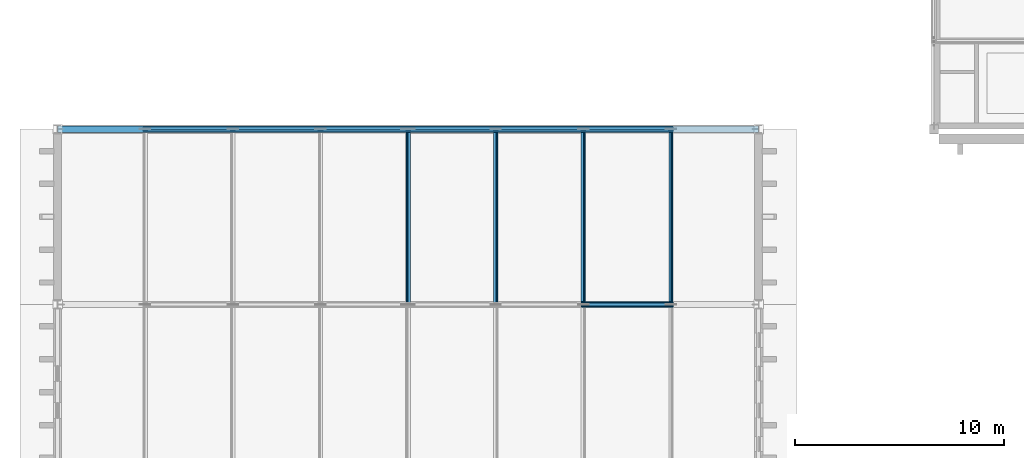
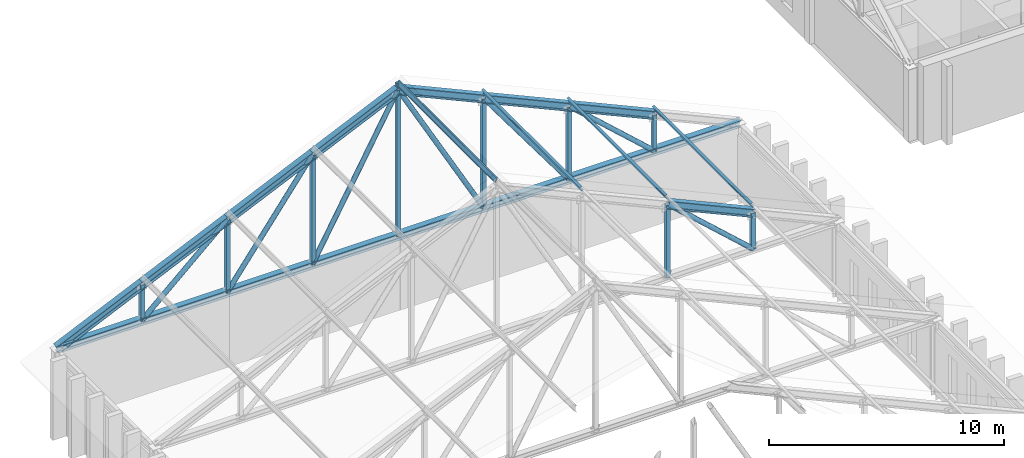
# One storey, part 24 of 110: 29 members.
"""IFC4 building model written with IfcOpenShell, lengths in metres."""

from ifc_helpers import new_model, si_unit, direction, frame, origin, origin_2d, place, context, subcontext, project, spatial, hollow_rectangle, hollow_circle, i_section, extrude, material, material_profile, profile_set, type_object, element, save


model = new_model("IFC4")

# Units and contexts
model_context = context("Model", 3, precision=1e-05, world=origin(), true_north=direction((0.0, 1.0)))
body_context = subcontext(model_context, "Body", "Model", "MODEL_VIEW")
ifc_project = project(units=[si_unit("LENGTHUNIT", "METRE"), si_unit("AREAUNIT", "SQUARE_METRE"), si_unit("VOLUMEUNIT", "CUBIC_METRE"), si_unit("PLANEANGLEUNIT", "RADIAN"), si_unit("MASSUNIT", "GRAM", prefix="KILO")], contexts=[model_context])

# Site, building, storey
site_placement = place(None, origin())
site = spatial("IfcSite", under=ifc_project, at=site_placement, CompositionType="ELEMENT")
building_placement = place(site_placement, origin())
building = spatial("IfcBuilding", under=site, at=building_placement, Name="Kveldsbrygga Polytechnic", CompositionType="ELEMENT")
storey_placement = place(building_placement, frame((0.0, 0.0, 9.860107421875)))
storey = spatial("IfcBuildingStorey", under=building, at=storey_placement, Name="L02", CompositionType="ELEMENT", Elevation=9.860107421875)

# Members
ifc_material = material(Name="Steel S355", Category="steel")
ifc_material_profile_1 = material_profile(ifc_material, i_section(OverallWidth=0.1201171875, OverallDepth=0.239990234375, WebThickness=0.006103515625, FlangeThickness=0.009765625, FilletRadius=0.014892578125, at=origin_2d()), Name="IPE 240")
ifc_profile_set_1 = profile_set([ifc_material_profile_1], Name="Steel S355")
member_type_1 = type_object("IfcMemberType", Name="PRL-IPE240", PredefinedType="PURLIN", material=ifc_profile_set_1)
for number, where, z_axis, x_axis, name in (
    (1, (16.800048828125, 75.60009765625, 11.731201171875), (0.0, 1.0, 0.0), (-0.911107850446, 0.0, 0.41216802988), "Roof Purlin V1W-PRL-7-4"),
    (2, (21.0, 75.60009765625, 9.8310546875), (0.0, 1.0, 0.0), (-0.911107850446, 0.0, -0.41216802988), "Roof Purlin V1W-PRL-7-5"),
    (3, (25.199951171875, 75.60009765625, 7.93115234375), (0.0, 1.0, 0.0), (-0.911107850446, 0.0, -0.41216802988), "Roof Purlin V1W-PRL-7-6"),
    (4, (29.39990234375, 75.60009765625, 6.031005859375), (0.0, 1.0, 0.0), (-0.911107850446, 0.0, -0.41216802988), "Roof Purlin V1W-PRL-7-7"),
):
    element("IfcMember", number, at=place(storey_placement, frame(where, z_axis=z_axis, x_axis=x_axis)), inside=storey, type_object=member_type_1, Name=name, PredefinedType="PURLIN", context=body_context, shape_type="SweptSolid", body=[
        extrude(i_section(OverallWidth=0.1201171875, OverallDepth=0.239990234375, WebThickness=0.006103515625, FlangeThickness=0.009765625, FilletRadius=0.014892578125, at=origin_2d()), origin(), (0.0, 0.0, 1.0), 8.39990234375),
    ])
ifc_material_profile_2 = material_profile(ifc_material, i_section(OverallWidth=0.300048828125, OverallDepth=0.35009765625, WebThickness=0.010009765625, FlangeThickness=0.017578125, FilletRadius=0.027099609375, at=origin_2d()), Name="HEA 360")
ifc_profile_set_2 = profile_set([ifc_material_profile_2], Name="Steel S355")
member_type_2 = type_object("IfcMemberType", Name="TR-BOT-HEA360", PredefinedType="CHORD", material=ifc_profile_set_2)
member_1_placement = place(storey_placement, frame((0.0, 84.0, 3.77978515625), z_axis=(1.0, 0.0, 0.0), x_axis=(0.0, 1.0, 0.0)))
element("IfcMember", 5, at=member_1_placement, inside=storey, type_object=member_type_2, Name="Truss Bottom Chord V1W-T08-BC-1", PredefinedType="CHORD", context=body_context, shape_type="SweptSolid", body=[
    extrude(i_section(OverallWidth=0.300048828125, OverallDepth=0.35009765625, WebThickness=0.010009765625, FlangeThickness=0.017578125, FilletRadius=0.027099609375, at=origin_2d()), origin(), (0.0, 0.0, 1.0), 33.60009765625),
])
ifc_material_profile_3 = material_profile(ifc_material, hollow_circle(Radius=0.122314453125, WallThickness=0.012451171875, at=origin_2d()), Name="CHS 244.5x12.5")
ifc_profile_set_3 = profile_set([ifc_material_profile_3], Name="Steel S355")
member_type_3 = type_object("IfcMemberType", Name="TR-DIAG-CHS245", PredefinedType="BRACE", material=ifc_profile_set_3)
for number, where, z_axis, x_axis, name in (
    (6, (25.199951171875, 75.60009765625, 7.579833984375), (0.741527609628, 0.0, -0.670922353302), (0.0, 1.0, 0.0), "Truss Diagonal V1W-T07-DG-7"),
    (7, (4.199951171875, 84.0, 3.77978515625), (0.741527609628, 0.0, 0.670922353302), (0.0, 1.0, 0.0), "Truss Diagonal V1W-T08-DG-2"),
):
    element("IfcMember", number, at=place(storey_placement, frame(where, z_axis=z_axis, x_axis=x_axis)), inside=storey, type_object=member_type_3, Name=name, PredefinedType="BRACE", context=body_context, shape_type="SweptSolid", body=[
        extrude(hollow_circle(Radius=0.122314453125, WallThickness=0.012451171875, at=origin_2d()), origin(), (0.0, 0.0, 1.0), 5.663818359375),
    ])
member_2_placement = place(storey_placement, frame((8.39990234375, 84.0, 3.77978515625), z_axis=(0.59320374275, 0.0, 0.805052370711), x_axis=(0.0, 1.0, 0.0)))
element("IfcMember", 8, at=member_2_placement, inside=storey, type_object=member_type_3, Name="Truss Diagonal V1W-T08-DG-3", PredefinedType="BRACE", context=body_context, shape_type="SweptSolid", body=[
    extrude(hollow_circle(Radius=0.122314453125, WallThickness=0.012451171875, at=origin_2d()), origin(), (0.0, 0.0, 1.0), 7.08056640625),
])
for number, where, z_axis, x_axis, name in (
    (9, (12.60009765625, 84.0, 3.77978515625), (0.483677042996, 0.0, 0.875246547025), (0.0, 1.0, 0.0), "Truss Diagonal V1W-T08-DG-4"),
    (10, (16.800048828125, 84.0, 11.3798828125), (0.483677042996, 0.0, -0.875246547025), (0.0, 1.0, 0.0), "Truss Diagonal V1W-T08-DG-5"),
):
    element("IfcMember", number, at=place(storey_placement, frame(where, z_axis=z_axis, x_axis=x_axis)), inside=storey, type_object=member_type_3, Name=name, PredefinedType="BRACE", context=body_context, shape_type="SweptSolid", body=[
        extrude(hollow_circle(Radius=0.122314453125, WallThickness=0.012451171875, at=origin_2d()), origin(), (0.0, 0.0, 1.0), 8.683349609375),
    ])
member_3_placement = place(storey_placement, frame((21.0, 84.0, 9.47998046875), z_axis=(0.593181394885, 0.0, -0.805068837282), x_axis=(0.0, 1.0, 0.0)))
element("IfcMember", 11, at=member_3_placement, inside=storey, type_object=member_type_3, Name="Truss Diagonal V1W-T08-DG-6", PredefinedType="BRACE", context=body_context, shape_type="SweptSolid", body=[
    extrude(hollow_circle(Radius=0.122314453125, WallThickness=0.012451171875, at=origin_2d()), origin(), (0.0, 0.0, 1.0), 7.080322265625),
])
member_4_placement = place(storey_placement, frame((25.199951171875, 84.0, 7.579833984375), z_axis=(0.741527609628, 0.0, -0.670922353302), x_axis=(0.0, 1.0, 0.0)))
element("IfcMember", 12, at=member_4_placement, inside=storey, type_object=member_type_3, Name="Truss Diagonal V1W-T08-DG-7", PredefinedType="BRACE", context=body_context, shape_type="SweptSolid", body=[
    extrude(hollow_circle(Radius=0.122314453125, WallThickness=0.012451171875, at=origin_2d()), origin(), (0.0, 0.0, 1.0), 5.663818359375),
])
ifc_material_profile_4 = material_profile(ifc_material, hollow_rectangle(XDim=0.199951171875, YDim=0.199951171875, WallThickness=0.012451171875, at=origin_2d()), Name="SHS 200x200x12.5")
ifc_profile_set_4 = profile_set([ifc_material_profile_4], Name="Steel S355")
member_type_4 = type_object("IfcMemberType", Name="TR-POST-SHS200", PredefinedType="STRUT", material=ifc_profile_set_4)
member_5_placement = place(storey_placement, frame((25.199951171875, 75.60009765625, 3.77978515625), z_axis=(0.0, 0.0, 1.0), x_axis=(1.0, 0.0, 0.0)))
element("IfcMember", 13, at=member_5_placement, inside=storey, type_object=member_type_4, Name="Truss Vertical V1W-T07-VT-6", PredefinedType="STRUT", context=body_context, shape_type="SweptSolid", body=[
    extrude(hollow_rectangle(XDim=0.199951171875, YDim=0.199951171875, WallThickness=0.012451171875, at=origin_2d()), origin(), (0.0, 0.0, 1.0), 3.800048828125),
])
for number, where, z_axis, x_axis, name in (
    (14, (29.39990234375, 75.60009765625, 3.77978515625), (0.0, 0.0, 1.0), (1.0, 0.0, 0.0), "Truss Vertical V1W-T07-VT-7"),
    (15, (4.199951171875, 84.0, 3.77978515625), (0.0, 0.0, 1.0), (1.0, 0.0, 0.0), "Truss Vertical V1W-T08-VT-1"),
):
    element("IfcMember", number, at=place(storey_placement, frame(where, z_axis=z_axis, x_axis=x_axis)), inside=storey, type_object=member_type_4, Name=name, PredefinedType="STRUT", context=body_context, shape_type="SweptSolid", body=[
        extrude(hollow_rectangle(XDim=0.199951171875, YDim=0.199951171875, WallThickness=0.012451171875, at=origin_2d()), origin(), (0.0, 0.0, 1.0), 1.900146484375),
    ])
member_6_placement = place(storey_placement, frame((8.39990234375, 84.0, 3.77978515625), z_axis=(0.0, 0.0, 1.0), x_axis=(1.0, 0.0, 0.0)))
element("IfcMember", 16, at=member_6_placement, inside=storey, type_object=member_type_4, Name="Truss Vertical V1W-T08-VT-2", PredefinedType="STRUT", context=body_context, shape_type="SweptSolid", body=[
    extrude(hollow_rectangle(XDim=0.199951171875, YDim=0.199951171875, WallThickness=0.012451171875, at=origin_2d()), origin(), (0.0, 0.0, 1.0), 3.800048828125),
])
member_7_placement = place(storey_placement, frame((12.60009765625, 84.0, 3.77978515625), z_axis=(0.0, 0.0, 1.0), x_axis=(1.0, 0.0, 0.0)))
element("IfcMember", 17, at=member_7_placement, inside=storey, type_object=member_type_4, Name="Truss Vertical V1W-T08-VT-3", PredefinedType="STRUT", context=body_context, shape_type="SweptSolid", body=[
    extrude(hollow_rectangle(XDim=0.199951171875, YDim=0.199951171875, WallThickness=0.012451171875, at=origin_2d()), origin(), (0.0, 0.0, 1.0), 5.7001953125),
])
member_8_placement = place(storey_placement, frame((16.800048828125, 84.0, 3.77978515625), z_axis=(0.0, 0.0, 1.0), x_axis=(1.0, 0.0, 0.0)))
element("IfcMember", 18, at=member_8_placement, inside=storey, type_object=member_type_4, Name="Truss Vertical V1W-T08-VT-4", PredefinedType="STRUT", context=body_context, shape_type="SweptSolid", body=[
    extrude(hollow_rectangle(XDim=0.199951171875, YDim=0.199951171875, WallThickness=0.012451171875, at=origin_2d()), origin(), (0.0, 0.0, 1.0), 7.951416015625),
])
member_9_placement = place(storey_placement, frame((21.0, 84.0, 3.77978515625), z_axis=(0.0, 0.0, 1.0), x_axis=(1.0, 0.0, 0.0)))
element("IfcMember", 19, at=member_9_placement, inside=storey, type_object=member_type_4, Name="Truss Vertical V1W-T08-VT-5", PredefinedType="STRUT", context=body_context, shape_type="SweptSolid", body=[
    extrude(hollow_rectangle(XDim=0.199951171875, YDim=0.199951171875, WallThickness=0.012451171875, at=origin_2d()), origin(), (0.0, 0.0, 1.0), 5.7001953125),
])
member_10_placement = place(storey_placement, frame((25.199951171875, 84.0, 3.77978515625), z_axis=(0.0, 0.0, 1.0), x_axis=(1.0, 0.0, 0.0)))
element("IfcMember", 20, at=member_10_placement, inside=storey, type_object=member_type_4, Name="Truss Vertical V1W-T08-VT-6", PredefinedType="STRUT", context=body_context, shape_type="SweptSolid", body=[
    extrude(hollow_rectangle(XDim=0.199951171875, YDim=0.199951171875, WallThickness=0.012451171875, at=origin_2d()), origin(), (0.0, 0.0, 1.0), 3.800048828125),
])
member_11_placement = place(storey_placement, frame((29.39990234375, 84.0, 3.77978515625), z_axis=(0.0, 0.0, 1.0), x_axis=(1.0, 0.0, 0.0)))
element("IfcMember", 21, at=member_11_placement, inside=storey, type_object=member_type_4, Name="Truss Vertical V1W-T08-VT-7", PredefinedType="STRUT", context=body_context, shape_type="SweptSolid", body=[
    extrude(hollow_rectangle(XDim=0.199951171875, YDim=0.199951171875, WallThickness=0.012451171875, at=origin_2d()), origin(), (0.0, 0.0, 1.0), 1.900146484375),
])
ifc_material_profile_5 = material_profile(ifc_material, i_section(OverallWidth=0.300048828125, OverallDepth=0.39990234375, WebThickness=0.013427734375, FlangeThickness=0.02392578125, FilletRadius=0.027099609375, at=origin_2d()), Name="HEB 400")
ifc_profile_set_5 = profile_set([ifc_material_profile_5], Name="Steel S355")
member_type_5 = type_object("IfcMemberType", Name="TR-TOP-HEB400", PredefinedType="CHORD", material=ifc_profile_set_5)
member_12_placement = place(storey_placement, frame((25.199951171875, 75.60009765625, 7.579833984375), z_axis=(0.91111407885, 0.0, -0.41215426156), x_axis=(0.0, 1.0, 0.0)))
element("IfcMember", 22, at=member_12_placement, inside=storey, type_object=member_type_5, Name="Truss Top Chord V1W-T07-TC-7", PredefinedType="CHORD", context=body_context, shape_type="SweptSolid", body=[
    extrude(i_section(OverallWidth=0.300048828125, OverallDepth=0.39990234375, WebThickness=0.013427734375, FlangeThickness=0.02392578125, FilletRadius=0.027099609375, at=origin_2d()), origin(), (0.0, 0.0, 1.0), 4.609619140625),
])
member_13_placement = place(storey_placement, frame((0.0, 84.0, 3.77978515625), z_axis=(0.911094189765, 0.0, 0.412198225829), x_axis=(0.0, 1.0, 0.0)))
element("IfcMember", 23, at=member_13_placement, inside=storey, type_object=member_type_5, Name="Truss Top Chord V1W-T08-TC-1", PredefinedType="CHORD", context=body_context, shape_type="SweptSolid", body=[
    extrude(i_section(OverallWidth=0.300048828125, OverallDepth=0.39990234375, WebThickness=0.013427734375, FlangeThickness=0.02392578125, FilletRadius=0.027099609375, at=origin_2d()), origin(), (0.0, 0.0, 1.0), 4.60986328125),
])
member_14_placement = place(storey_placement, frame((4.199951171875, 84.0, 5.679931640625), z_axis=(0.91111407885, 0.0, 0.41215426156), x_axis=(0.0, 1.0, 0.0)))
element("IfcMember", 24, at=member_14_placement, inside=storey, type_object=member_type_5, Name="Truss Top Chord V1W-T08-TC-2", PredefinedType="CHORD", context=body_context, shape_type="SweptSolid", body=[
    extrude(i_section(OverallWidth=0.300048828125, OverallDepth=0.39990234375, WebThickness=0.013427734375, FlangeThickness=0.02392578125, FilletRadius=0.027099609375, at=origin_2d()), origin(), (0.0, 0.0, 1.0), 4.609619140625),
])
member_15_placement = place(storey_placement, frame((8.39990234375, 84.0, 7.579833984375), z_axis=(0.911103187639, 0.0, 0.412178336979), x_axis=(0.0, 1.0, 0.0)))
element("IfcMember", 25, at=member_15_placement, inside=storey, type_object=member_type_5, Name="Truss Top Chord V1W-T08-TC-3", PredefinedType="CHORD", context=body_context, shape_type="SweptSolid", body=[
    extrude(i_section(OverallWidth=0.300048828125, OverallDepth=0.39990234375, WebThickness=0.013427734375, FlangeThickness=0.02392578125, FilletRadius=0.027099609375, at=origin_2d()), origin(), (0.0, 0.0, 1.0), 4.610107421875),
])
for number, where, z_axis, x_axis, name in (
    (26, (12.60009765625, 84.0, 9.47998046875), (0.91111407885, 0.0, 0.41215426156), (0.0, 1.0, 0.0), "Truss Top Chord V1W-T08-TC-4"),
    (27, (16.800048828125, 84.0, 11.3798828125), (0.91111407885, 0.0, -0.41215426156), (0.0, 1.0, 0.0), "Truss Top Chord V1W-T08-TC-5"),
):
    element("IfcMember", number, at=place(storey_placement, frame(where, z_axis=z_axis, x_axis=x_axis)), inside=storey, type_object=member_type_5, Name=name, PredefinedType="CHORD", context=body_context, shape_type="SweptSolid", body=[
        extrude(i_section(OverallWidth=0.300048828125, OverallDepth=0.39990234375, WebThickness=0.013427734375, FlangeThickness=0.02392578125, FilletRadius=0.027099609375, at=origin_2d()), origin(), (0.0, 0.0, 1.0), 4.609619140625),
    ])
member_16_placement = place(storey_placement, frame((21.0, 84.0, 9.47998046875), z_axis=(0.911094189765, 0.0, -0.412198225829), x_axis=(0.0, 1.0, 0.0)))
element("IfcMember", 28, at=member_16_placement, inside=storey, type_object=member_type_5, Name="Truss Top Chord V1W-T08-TC-6", PredefinedType="CHORD", context=body_context, shape_type="SweptSolid", body=[
    extrude(i_section(OverallWidth=0.300048828125, OverallDepth=0.39990234375, WebThickness=0.013427734375, FlangeThickness=0.02392578125, FilletRadius=0.027099609375, at=origin_2d()), origin(), (0.0, 0.0, 1.0), 4.60986328125),
])
member_17_placement = place(storey_placement, frame((25.199951171875, 84.0, 7.579833984375), z_axis=(0.91111407885, 0.0, -0.41215426156), x_axis=(0.0, 1.0, 0.0)))
element("IfcMember", 29, at=member_17_placement, inside=storey, type_object=member_type_5, Name="Truss Top Chord V1W-T08-TC-7", PredefinedType="CHORD", context=body_context, shape_type="SweptSolid", body=[
    extrude(i_section(OverallWidth=0.300048828125, OverallDepth=0.39990234375, WebThickness=0.013427734375, FlangeThickness=0.02392578125, FilletRadius=0.027099609375, at=origin_2d()), origin(), (0.0, 0.0, 1.0), 4.609619140625),
])

save(model, "model.ifc")
